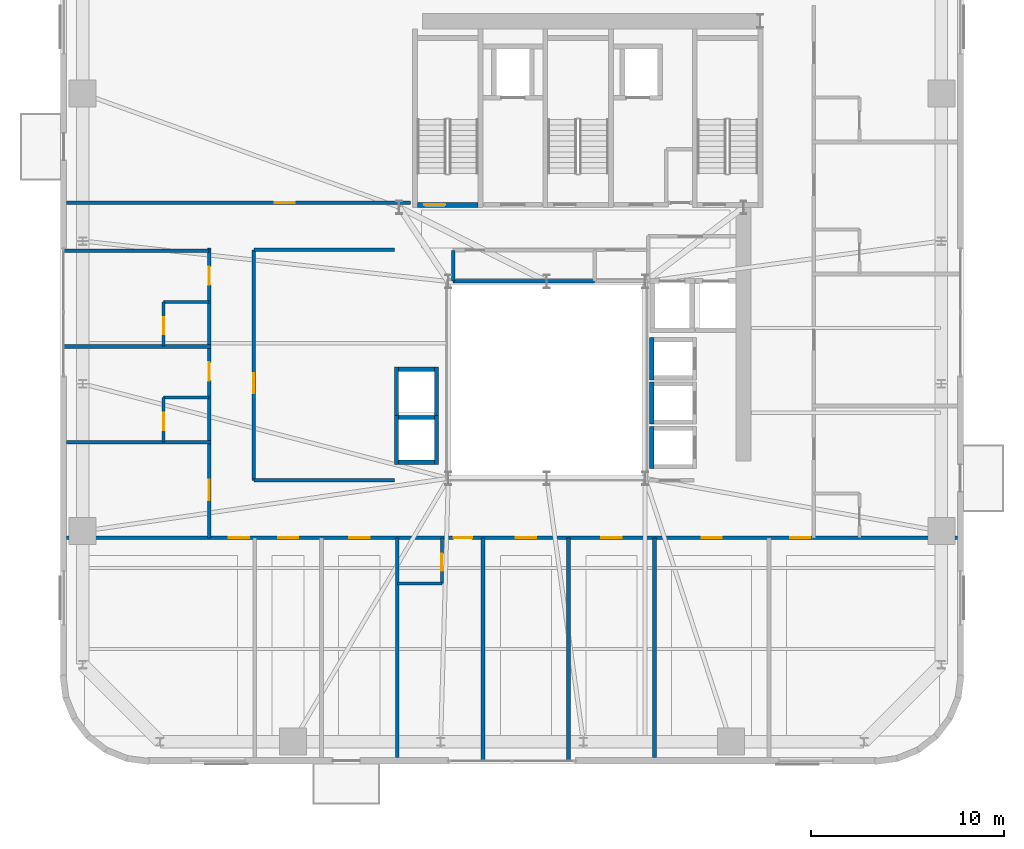
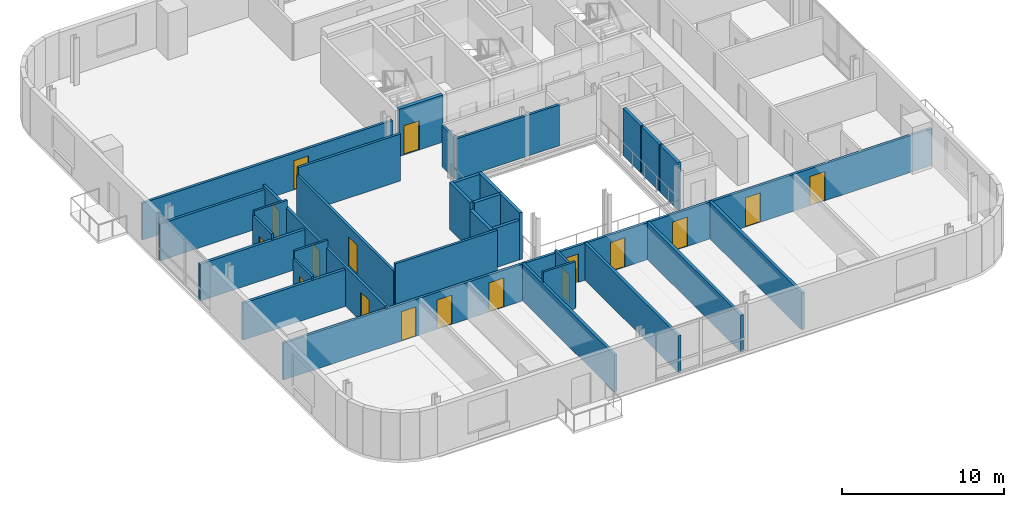
# One storey, part 8 of 16: 32 walls, 17 doors, 17 openings.
"""IFC4 building model written with IfcOpenShell, lengths in metres."""

from ifc_helpers import new_model, si_unit, direction, frame, frame_2d, origin, place, context, subcontext, project, spatial, rectangle, extrude, source, transform, mapped, material, layer, layer_set, type_object, element, fill, save


model = new_model("IFC4")

# Units and contexts
model_context = context("Model", 3, precision=1e-05, world=origin(), true_north=direction((0.0, 1.0)))
body_context = subcontext(model_context, "Body", "Model", "MODEL_VIEW")
ifc_project = project(units=[si_unit("LENGTHUNIT", "METRE"), si_unit("AREAUNIT", "SQUARE_METRE"), si_unit("VOLUMEUNIT", "CUBIC_METRE"), si_unit("PLANEANGLEUNIT", "RADIAN"), si_unit("MASSUNIT", "GRAM", prefix="KILO")], contexts=[model_context])

# Site, building, storey
site_placement = place(None, origin())
site = spatial("IfcSite", under=ifc_project, at=site_placement, CompositionType="ELEMENT")
building_placement = place(site_placement, origin())
building = spatial("IfcBuilding", under=site, at=building_placement, Name="Vardaveli Station Tower", CompositionType="ELEMENT")
storey_placement = place(building_placement, frame((0.0, 0.0, 211.050048828125)))
storey = spatial("IfcBuildingStorey", under=building, at=storey_placement, Name="L54", CompositionType="ELEMENT", Elevation=211.050048828125)

# Wall, opening, door
ifc_material_1 = material(Name="Concrete C40/50", Category="concrete")
ifc_layer_1 = layer(ifc_material_1, 0.25, Name="Concrete C40/50")
ifc_layer_set_1 = layer_set([ifc_layer_1], Name="Concrete C40/50")
wall_type_1 = type_object("IfcWallType", Name="WAL-SHAFT-250", PredefinedType="SOLIDWALL", material=ifc_layer_set_1)
shared_shape_1 = source(origin(), body_context, "Body", "SweptSolid", [
    extrude(rectangle(XDim=3.14990234375, YDim=0.25, at=frame_2d((1.574951171875, 0.0))), origin(), (0.0, 0.0, 1.0), 3.550048828125),
])
wall_1_placement = place(storey_placement, frame((29.60009765625, 30.77490234375, 0.0), z_axis=(0.0, 0.0, 1.0), x_axis=(1.0, 0.0, 0.0)))
wall_1 = element("IfcWall", 1, at=wall_1_placement, inside=storey, type_object=wall_type_1, Name="W-L54-ST-1S", PredefinedType="SOLIDWALL", context=body_context, shape_type="MappedRepresentation", body=[
    mapped(shared_shape_1, transform((0.0, 0.0, 0.0), scale=1.0)),
])
shared_shape_2 = source(origin(), body_context, "Body", "SweptSolid", [
    extrude(rectangle(XDim=1.10009765625, YDim=2.199951171875, at=frame_2d((0.550048828125, 1.10009765625))), frame((0.0, 0.135009765625, 0.0), z_axis=(0.0, -1.0, 0.0), x_axis=(1.0, 0.0, 0.0)), (0.0, 0.0, 1.0), 0.27001953125),
])
opening_1_placement = place(wall_1_placement, frame((0.35009765625, 0.0, 0.0)))
opening_1 = element("IfcOpeningElement", 2, at=opening_1_placement, cuts=wall_1, Name="Opening D-04", PredefinedType="OPENING", context=body_context, shape_type="MappedRepresentation", body=[
    mapped(shared_shape_2, transform((0.0, 0.0, 0.0), scale=1.0)),
])
ifc_material_2 = material(Name="Steel smokeproof fire doorset", Category="steel")
door_type_1 = type_object("IfcDoorType", Name="DR-ST-1100x2200", OperationType="NOTDEFINED", PredefinedType="DOOR", material=ifc_material_2)
shared_shape_3 = source(origin(), body_context, "Body", "SweptSolid", [
    extrude(rectangle(XDim=1.10009765625, YDim=2.199951171875, at=frame_2d((0.550048828125, 1.10009765625))), frame((0.0, 0.02490234375, 0.0), z_axis=(0.0, -1.0, 0.0), x_axis=(1.0, 0.0, 0.0)), (0.0, 0.0, 1.0), 0.050048828125),
])
door_1_placement = place(opening_1_placement, origin())
door_1 = element("IfcDoor", 3, at=door_1_placement, inside=storey, type_object=door_type_1, Name="DST-1-L54", OperationType="SINGLE_SWING_LEFT", OverallHeight=2.199951171875, OverallWidth=1.10009765625, PredefinedType="DOOR", context=body_context, shape_type="MappedRepresentation", body=[
    mapped(shared_shape_3, transform((0.0, 0.0, 0.0), scale=1.0)),
])
fill(opening_1, door_1)

# Walls
ifc_layer_2 = layer(ifc_material_1, 0.219970703125, Name="Concrete C40/50")
ifc_layer_set_2 = layer_set([ifc_layer_2], Name="Concrete C40/50")
wall_type_2 = type_object("IfcWallType", Name="WAL-FFLOBBY-220", PredefinedType="SOLIDWALL", material=ifc_layer_set_2)
shared_shape_4 = source(origin(), body_context, "Body", "SweptSolid", [
    extrude(rectangle(XDim=2.18994140625, YDim=0.219970703125, at=frame_2d((1.094970703125, 0.0))), origin(), (0.0, 0.0, 1.0), 3.530029296875),
])
for number, where, z_axis, x_axis, name in (
    (4, (41.739990234375, 21.705078125, 0.0), (0.0, 0.0, 1.0), (0.0, 1.0, 0.0), "SHW-HL3-01-L54-W"),
    (5, (41.739990234375, 19.405029296875, 0.0), (0.0, 0.0, 1.0), (0.0, 1.0, 0.0), "SHW-HL3-02-L54-W"),
    (6, (41.739990234375, 17.10498046875, 0.0), (0.0, 0.0, 1.0), (0.0, 1.0, 0.0), "SHW-HL3-03-L54-W"),
):
    element("IfcWall", number, at=place(storey_placement, frame(where, z_axis=z_axis, x_axis=x_axis)), inside=storey, type_object=wall_type_2, Name=name, PredefinedType="SOLIDWALL", context=body_context, shape_type="MappedRepresentation", body=[
        mapped(shared_shape_4, transform((0.0, 0.0, 0.0), scale=1.0)),
    ])
shared_shape_5 = source(origin(), body_context, "Body", "SweptSolid", [
    extrude(rectangle(XDim=1.85009765625, YDim=0.219970703125, at=frame_2d((0.925048828125, 0.0))), origin(), (0.0, 0.0, 1.0), 2.971923828125),
])
wall_2_placement = place(storey_placement, frame((28.625, 17.43994140625, 0.0), z_axis=(0.0, 0.0, 1.0), x_axis=(1.0, 0.0, 0.0)))
element("IfcWall", 7, at=wall_2_placement, inside=storey, type_object=wall_type_2, Name="SHW-OBS-01-L54-S", PredefinedType="SOLIDWALL", context=body_context, shape_type="MappedRepresentation", body=[
    mapped(shared_shape_5, transform((0.0, 0.0, 0.0), scale=1.0)),
])
shared_shape_6 = source(origin(), body_context, "Body", "SweptSolid", [
    extrude(rectangle(XDim=1.85009765625, YDim=0.219970703125, at=frame_2d((0.925048828125, 0.0))), origin(), (0.0, 0.0, 1.0), 3.530029296875),
])
for number, where, z_axis, x_axis, name in (
    (8, (28.625, 19.760009765625, 0.0), (0.0, 0.0, 1.0), (1.0, 0.0, 0.0), "SHW-OBS-01-L54-N"),
    (9, (28.625, 22.260009765625, 0.0), (0.0, 0.0, 1.0), (1.0, 0.0, 0.0), "SHW-OBS-02-L54-N"),
):
    element("IfcWall", number, at=place(storey_placement, frame(where, z_axis=z_axis, x_axis=x_axis)), inside=storey, type_object=wall_type_2, Name=name, PredefinedType="SOLIDWALL", context=body_context, shape_type="MappedRepresentation", body=[
        mapped(shared_shape_6, transform((0.0, 0.0, 0.0), scale=1.0)),
    ])
shared_shape_7 = source(origin(), body_context, "Body", "SweptSolid", [
    extrude(rectangle(XDim=2.5400390625, YDim=0.219970703125, at=frame_2d((1.27001953125, 0.0))), origin(), (0.0, 0.0, 1.0), 2.971923828125),
])
wall_3_placement = place(storey_placement, frame((28.514892578125, 17.330078125, 0.0), z_axis=(0.0, 0.0, 1.0), x_axis=(0.0, 1.0, 0.0)))
element("IfcWall", 10, at=wall_3_placement, inside=storey, type_object=wall_type_2, Name="SHW-OBS-01-L54-W", PredefinedType="SOLIDWALL", context=body_context, shape_type="MappedRepresentation", body=[
    mapped(shared_shape_7, transform((0.0, 0.0, 0.0), scale=1.0)),
])
shared_shape_8 = source(origin(), body_context, "Body", "SweptSolid", [
    extrude(rectangle(XDim=2.5400390625, YDim=0.219970703125, at=frame_2d((1.27001953125, 0.0))), origin(), (0.0, 0.0, 1.0), 3.530029296875),
])
for number, where, z_axis, x_axis, name in (
    (11, (30.5849609375, 17.330078125, 0.0), (0.0, 0.0, 1.0), (0.0, 1.0, 0.0), "SHW-OBS-01-L54-E"),
    (12, (28.514892578125, 19.830078125, 0.0), (0.0, 0.0, 1.0), (0.0, 1.0, 0.0), "SHW-OBS-02-L54-W"),
    (13, (30.5849609375, 19.830078125, 0.0), (0.0, 0.0, 1.0), (0.0, 1.0, 0.0), "SHW-OBS-02-L54-E"),
):
    element("IfcWall", number, at=place(storey_placement, frame(where, z_axis=z_axis, x_axis=x_axis)), inside=storey, type_object=wall_type_2, Name=name, PredefinedType="SOLIDWALL", context=body_context, shape_type="MappedRepresentation", body=[
        mapped(shared_shape_8, transform((0.0, 0.0, 0.0), scale=1.0)),
    ])

# Wall, openings, doors
ifc_material_3 = material(Name="Fire-rated gypsum stud partition")
ifc_layer_3 = layer(ifc_material_3, 0.179931640625, Name="Fire-rated gypsum stud partition")
ifc_layer_set_3 = layer_set([ifc_layer_3], Name="Fire-rated gypsum stud partition")
wall_type_3 = type_object("IfcWallType", Name="WAL-CORR-180", PredefinedType="PARTITIONING", material=ifc_layer_set_3)
shared_shape_9 = source(origin(), body_context, "Body", "SweptSolid", [
    extrude(rectangle(XDim=46.15576171875, YDim=0.179931640625, at=frame_2d((23.077880859375, 0.0))), origin(), (0.0, 0.0, 1.0), 2.77197265625),
])
wall_4_placement = place(storey_placement, frame((11.422119140625, 13.510009765625, 0.0), z_axis=(0.0, 0.0, 1.0), x_axis=(1.0, 0.0, 0.0)))
wall_4 = element("IfcWall", 14, at=wall_4_placement, inside=storey, type_object=wall_type_3, Name="W-L54-CS", PredefinedType="PARTITIONING", context=body_context, shape_type="MappedRepresentation", body=[
    mapped(shared_shape_9, transform((0.0, 0.0, 0.0), scale=1.0)),
])
shared_shape_10 = source(origin(), body_context, "Body", "SweptSolid", [
    extrude(rectangle(XDim=1.050048828125, YDim=2.199951171875, at=frame_2d((0.52490234375, 1.10009765625))), frame((0.0, 0.10009765625, 0.0), z_axis=(0.0, -1.0, 0.0), x_axis=(1.0, 0.0, 0.0)), (0.0, 0.0, 1.0), 0.199951171875),
])
opening_2_placement = place(wall_4_placement, frame((8.39794921875, 0.0, 0.0)))
opening_2 = element("IfcOpeningElement", 15, at=opening_2_placement, cuts=wall_4, Name="Opening D-05", PredefinedType="OPENING", context=body_context, shape_type="MappedRepresentation", body=[
    mapped(shared_shape_10, transform((0.0, 0.0, 0.0), scale=1.0)),
])
opening_3_placement = place(wall_4_placement, frame((10.952880859375, 0.0, 0.0)))
opening_3 = element("IfcOpeningElement", 16, at=opening_3_placement, cuts=wall_4, Name="Opening D-05", PredefinedType="OPENING", context=body_context, shape_type="MappedRepresentation", body=[
    mapped(shared_shape_10, transform((0.0, 0.0, 0.0), scale=1.0)),
])
opening_4_placement = place(wall_4_placement, frame((14.64453125, 0.0, 0.0)))
opening_4 = element("IfcOpeningElement", 17, at=opening_4_placement, cuts=wall_4, Name="Opening D-05", PredefinedType="OPENING", context=body_context, shape_type="MappedRepresentation", body=[
    mapped(shared_shape_10, transform((0.0, 0.0, 0.0), scale=1.0)),
])
shared_shape_11 = source(origin(), body_context, "Body", "SweptSolid", [
    extrude(rectangle(XDim=0.949951171875, YDim=2.14990234375, at=frame_2d((0.47509765625, 1.074951171875))), frame((0.0, 0.10009765625, 0.0), z_axis=(0.0, -1.0, 0.0), x_axis=(1.0, 0.0, 0.0)), (0.0, 0.0, 1.0), 0.199951171875),
])
opening_5_placement = place(wall_4_placement, frame((20.05712890625, 0.0, 0.0)))
opening_5 = element("IfcOpeningElement", 18, at=opening_5_placement, cuts=wall_4, Name="Opening D-06", PredefinedType="OPENING", context=body_context, shape_type="MappedRepresentation", body=[
    mapped(shared_shape_11, transform((0.0, 0.0, 0.0), scale=1.0)),
])
opening_6_placement = place(wall_4_placement, frame((23.273681640625, 0.0, 0.0)))
opening_6 = element("IfcOpeningElement", 19, at=opening_6_placement, cuts=wall_4, Name="Opening D-05", PredefinedType="OPENING", context=body_context, shape_type="MappedRepresentation", body=[
    mapped(shared_shape_10, transform((0.0, 0.0, 0.0), scale=1.0)),
])
opening_7_placement = place(wall_4_placement, frame((27.715576171875, 0.0, 0.0)))
opening_7 = element("IfcOpeningElement", 20, at=opening_7_placement, cuts=wall_4, Name="Opening D-05", PredefinedType="OPENING", context=body_context, shape_type="MappedRepresentation", body=[
    mapped(shared_shape_10, transform((0.0, 0.0, 0.0), scale=1.0)),
])
opening_8_placement = place(wall_4_placement, frame((32.906982421875, 0.0, 0.0)))
opening_8 = element("IfcOpeningElement", 21, at=opening_8_placement, cuts=wall_4, Name="Opening D-05", PredefinedType="OPENING", context=body_context, shape_type="MappedRepresentation", body=[
    mapped(shared_shape_10, transform((0.0, 0.0, 0.0), scale=1.0)),
])
opening_9_placement = place(wall_4_placement, frame((37.498046875, 0.0, 0.0)))
opening_9 = element("IfcOpeningElement", 22, at=opening_9_placement, cuts=wall_4, Name="Opening D-05", PredefinedType="OPENING", context=body_context, shape_type="MappedRepresentation", body=[
    mapped(shared_shape_10, transform((0.0, 0.0, 0.0), scale=1.0)),
])
ifc_material_4 = material(Name="Walnut veneer acoustic fire door")
door_type_2 = type_object("IfcDoorType", Name="DR-SUITE-1050x2200", OperationType="NOTDEFINED", PredefinedType="DOOR", material=ifc_material_4)
shared_shape_12 = source(origin(), body_context, "Body", "SweptSolid", [
    extrude(rectangle(XDim=1.050048828125, YDim=2.199951171875, at=frame_2d((0.52490234375, 1.10009765625))), frame((0.0, 0.02490234375, 0.0), z_axis=(0.0, -1.0, 0.0), x_axis=(1.0, 0.0, 0.0)), (0.0, 0.0, 1.0), 0.050048828125),
])
door_2_placement = place(opening_2_placement, origin())
door_2 = element("IfcDoor", 23, at=door_2_placement, inside=storey, type_object=door_type_2, Name="D-L54-SA1", OperationType="SINGLE_SWING_LEFT", OverallHeight=2.199951171875, OverallWidth=1.050048828125, PredefinedType="DOOR", context=body_context, shape_type="MappedRepresentation", body=[
    mapped(shared_shape_12, transform((0.0, 0.0, 0.0), scale=1.0)),
])
fill(opening_2, door_2)
door_3_placement = place(opening_3_placement, origin())
door_3 = element("IfcDoor", 24, at=door_3_placement, inside=storey, type_object=door_type_2, Name="D-L54-SA2", OperationType="SINGLE_SWING_RIGHT", OverallHeight=2.199951171875, OverallWidth=1.050048828125, PredefinedType="DOOR", context=body_context, shape_type="MappedRepresentation", body=[
    mapped(shared_shape_12, transform((0.0, 0.0, 0.0), scale=1.0)),
])
fill(opening_3, door_3)
door_4_placement = place(opening_4_placement, origin())
door_4 = element("IfcDoor", 25, at=door_4_placement, inside=storey, type_object=door_type_2, Name="D-L54-SA3", OperationType="SINGLE_SWING_LEFT", OverallHeight=2.199951171875, OverallWidth=1.050048828125, PredefinedType="DOOR", context=body_context, shape_type="MappedRepresentation", body=[
    mapped(shared_shape_12, transform((0.0, 0.0, 0.0), scale=1.0)),
])
fill(opening_4, door_4)
door_5_placement = place(opening_6_placement, origin())
door_5 = element("IfcDoor", 26, at=door_5_placement, inside=storey, type_object=door_type_2, Name="D-L54-SA5", OperationType="SINGLE_SWING_LEFT", OverallHeight=2.199951171875, OverallWidth=1.050048828125, PredefinedType="DOOR", context=body_context, shape_type="MappedRepresentation", body=[
    mapped(shared_shape_12, transform((0.0, 0.0, 0.0), scale=1.0)),
])
fill(opening_6, door_5)
door_6_placement = place(opening_7_placement, origin())
door_6 = element("IfcDoor", 27, at=door_6_placement, inside=storey, type_object=door_type_2, Name="D-L54-SA6", OperationType="SINGLE_SWING_RIGHT", OverallHeight=2.199951171875, OverallWidth=1.050048828125, PredefinedType="DOOR", context=body_context, shape_type="MappedRepresentation", body=[
    mapped(shared_shape_12, transform((0.0, 0.0, 0.0), scale=1.0)),
])
fill(opening_7, door_6)
door_7_placement = place(opening_8_placement, origin())
door_7 = element("IfcDoor", 28, at=door_7_placement, inside=storey, type_object=door_type_2, Name="D-L54-SA7", OperationType="SINGLE_SWING_LEFT", OverallHeight=2.199951171875, OverallWidth=1.050048828125, PredefinedType="DOOR", context=body_context, shape_type="MappedRepresentation", body=[
    mapped(shared_shape_12, transform((0.0, 0.0, 0.0), scale=1.0)),
])
fill(opening_8, door_7)
door_8_placement = place(opening_9_placement, origin())
door_8 = element("IfcDoor", 29, at=door_8_placement, inside=storey, type_object=door_type_2, Name="D-L54-SA8", OperationType="SINGLE_SWING_RIGHT", OverallHeight=2.199951171875, OverallWidth=1.050048828125, PredefinedType="DOOR", context=body_context, shape_type="MappedRepresentation", body=[
    mapped(shared_shape_12, transform((0.0, 0.0, 0.0), scale=1.0)),
])
fill(opening_9, door_8)
ifc_material_5 = material(Name="Oak veneer acoustic fire door")
door_type_3 = type_object("IfcDoorType", Name="DR-GUEST-950x2150", OperationType="NOTDEFINED", PredefinedType="DOOR", material=ifc_material_5)
shared_shape_13 = source(origin(), body_context, "Body", "SweptSolid", [
    extrude(rectangle(XDim=0.949951171875, YDim=2.14990234375, at=frame_2d((0.47509765625, 1.074951171875))), frame((0.0, 0.02490234375, 0.0), z_axis=(0.0, -1.0, 0.0), x_axis=(1.0, 0.0, 0.0)), (0.0, 0.0, 1.0), 0.050048828125),
])
door_9_placement = place(opening_5_placement, origin())
door_9 = element("IfcDoor", 30, at=door_9_placement, inside=storey, type_object=door_type_3, Name="D-L54-GS4", OperationType="SINGLE_SWING_RIGHT", OverallHeight=2.14990234375, OverallWidth=0.949951171875, PredefinedType="DOOR", context=body_context, shape_type="MappedRepresentation", body=[
    mapped(shared_shape_13, transform((0.0, 0.0, 0.0), scale=1.0)),
])
fill(opening_5, door_9)

# Wall, opening, door
shared_shape_14 = source(origin(), body_context, "Body", "SweptSolid", [
    extrude(rectangle(XDim=17.827880859375, YDim=0.179931640625, at=frame_2d((8.9140625, 0.0))), origin(), (0.0, 0.0, 1.0), 2.77197265625),
])
wall_5_placement = place(storey_placement, frame((11.422119140625, 30.8798828125, 0.0), z_axis=(0.0, 0.0, 1.0), x_axis=(1.0, 0.0, 0.0)))
wall_5 = element("IfcWall", 31, at=wall_5_placement, inside=storey, type_object=wall_type_3, Name="W-L54-CNWS", PredefinedType="PARTITIONING", context=body_context, shape_type="MappedRepresentation", body=[
    mapped(shared_shape_14, transform((0.0, 0.0, 0.0), scale=1.0)),
])
opening_10_placement = place(wall_5_placement, frame((10.778076171875, 0.0, 0.0)))
opening_10 = element("IfcOpeningElement", 32, at=opening_10_placement, cuts=wall_5, Name="Opening D-05", PredefinedType="OPENING", context=body_context, shape_type="MappedRepresentation", body=[
    mapped(shared_shape_10, transform((0.0, 0.0, 0.0), scale=1.0)),
])
door_10_placement = place(opening_10_placement, origin())
door_10 = element("IfcDoor", 33, at=door_10_placement, inside=storey, type_object=door_type_2, Name="D-L54-GNW1", OperationType="SINGLE_SWING_RIGHT", OverallHeight=2.199951171875, OverallWidth=1.050048828125, PredefinedType="DOOR", context=body_context, shape_type="MappedRepresentation", body=[
    mapped(shared_shape_12, transform((0.0, 0.0, 0.0), scale=1.0)),
])
fill(opening_10, door_10)

# Wall, openings, doors
shared_shape_15 = source(origin(), body_context, "Body", "SweptSolid", [
    extrude(rectangle(XDim=15.0400390625, YDim=0.179931640625, at=frame_2d((7.52001953125, 0.0))), origin(), (0.0, 0.0, 1.0), 2.971923828125),
])
wall_6_placement = place(storey_placement, frame((18.800048828125, 13.510009765625, 0.0), z_axis=(0.0, 0.0, 1.0), x_axis=(0.0, 1.0, 0.0)))
wall_6 = element("IfcWall", 34, at=wall_6_placement, inside=storey, type_object=wall_type_3, Name="W-L54-CW", PredefinedType="PARTITIONING", context=body_context, shape_type="MappedRepresentation", body=[
    mapped(shared_shape_15, transform((0.0, 0.0, 0.0), scale=1.0)),
])
opening_11_placement = place(wall_6_placement, frame((1.961669921875, 0.0, 0.0)))
opening_11 = element("IfcOpeningElement", 35, at=opening_11_placement, cuts=wall_6, Name="Opening D-05", PredefinedType="OPENING", context=body_context, shape_type="MappedRepresentation", body=[
    mapped(shared_shape_10, transform((0.0, 0.0, 0.0), scale=1.0)),
])
opening_12_placement = place(wall_6_placement, frame((8.14990234375, 0.0, 0.0)))
opening_12 = element("IfcOpeningElement", 36, at=opening_12_placement, cuts=wall_6, Name="Opening D-06", PredefinedType="OPENING", context=body_context, shape_type="MappedRepresentation", body=[
    mapped(shared_shape_11, transform((0.0, 0.0, 0.0), scale=1.0)),
])
opening_13_placement = place(wall_6_placement, frame((13.11328125, 0.0, 0.0)))
opening_13 = element("IfcOpeningElement", 37, at=opening_13_placement, cuts=wall_6, Name="Opening D-06", PredefinedType="OPENING", context=body_context, shape_type="MappedRepresentation", body=[
    mapped(shared_shape_11, transform((0.0, 0.0, 0.0), scale=1.0)),
])
door_11_placement = place(opening_11_placement, origin())
door_11 = element("IfcDoor", 38, at=door_11_placement, inside=storey, type_object=door_type_2, Name="D-L54-GW1", OperationType="SINGLE_SWING_LEFT", OverallHeight=2.199951171875, OverallWidth=1.050048828125, PredefinedType="DOOR", context=body_context, shape_type="MappedRepresentation", body=[
    mapped(shared_shape_12, transform((0.0, 0.0, 0.0), scale=1.0)),
])
fill(opening_11, door_11)
door_12_placement = place(opening_12_placement, origin())
door_12 = element("IfcDoor", 39, at=door_12_placement, inside=storey, type_object=door_type_3, Name="D-L54-GW2", OperationType="SINGLE_SWING_RIGHT", OverallHeight=2.14990234375, OverallWidth=0.949951171875, PredefinedType="DOOR", context=body_context, shape_type="MappedRepresentation", body=[
    mapped(shared_shape_13, transform((0.0, 0.0, 0.0), scale=1.0)),
])
fill(opening_12, door_12)
door_13_placement = place(opening_13_placement, origin())
door_13 = element("IfcDoor", 40, at=door_13_placement, inside=storey, type_object=door_type_3, Name="D-L54-GW3", OperationType="SINGLE_SWING_LEFT", OverallHeight=2.14990234375, OverallWidth=0.949951171875, PredefinedType="DOOR", context=body_context, shape_type="MappedRepresentation", body=[
    mapped(shared_shape_13, transform((0.0, 0.0, 0.0), scale=1.0)),
])
fill(opening_13, door_13)

# Wall, opening, door
ifc_material_6 = material(Name="Moisture-resistant stud partition")
ifc_layer_4 = layer(ifc_material_6, 0.14990234375, Name="Moisture-resistant stud partition")
ifc_layer_set_4 = layer_set([ifc_layer_4], Name="Moisture-resistant stud partition")
wall_type_4 = type_object("IfcWallType", Name="WAL-WET-150", PredefinedType="PARTITIONING", material=ifc_layer_set_4)
shared_shape_16 = source(origin(), body_context, "Body", "SweptSolid", [
    extrude(rectangle(XDim=2.2900390625, YDim=0.14990234375, at=frame_2d((1.14501953125, 0.0))), origin(), (0.0, 0.0, 1.0), 2.971923828125),
])
wall_7_placement = place(storey_placement, frame((16.43994140625, 18.492919921875, 0.0), z_axis=(0.0, 0.0, 1.0), x_axis=(0.0, 1.0, 0.0)))
wall_7 = element("IfcWall", 41, at=wall_7_placement, inside=storey, type_object=wall_type_4, Name="W-L54-BW2-W", PredefinedType="PARTITIONING", context=body_context, shape_type="MappedRepresentation", body=[
    mapped(shared_shape_16, transform((0.0, 0.0, 0.0), scale=1.0)),
])
shared_shape_17 = source(origin(), body_context, "Body", "SweptSolid", [
    extrude(rectangle(XDim=0.89990234375, YDim=2.10009765625, at=frame_2d((0.449951171875, 1.050048828125))), frame((0.0, 0.0849609375, 0.0), z_axis=(0.0, -1.0, 0.0), x_axis=(1.0, 0.0, 0.0)), (0.0, 0.0, 1.0), 0.169921875),
])
opening_14_placement = place(wall_7_placement, frame((0.60009765625, 0.0, 0.0)))
opening_14 = element("IfcOpeningElement", 42, at=opening_14_placement, cuts=wall_7, Name="Opening D-08", PredefinedType="OPENING", context=body_context, shape_type="MappedRepresentation", body=[
    mapped(shared_shape_17, transform((0.0, 0.0, 0.0), scale=1.0)),
])
ifc_material_7 = material(Name="Moisture-resistant oak door")
door_type_4 = type_object("IfcDoorType", Name="DR-BATH-900x2100", OperationType="NOTDEFINED", PredefinedType="DOOR", material=ifc_material_7)
shared_shape_18 = source(origin(), body_context, "Body", "SweptSolid", [
    extrude(rectangle(XDim=0.89990234375, YDim=2.10009765625, at=frame_2d((0.449951171875, 1.050048828125))), frame((0.0, 0.02490234375, 0.0), z_axis=(0.0, -1.0, 0.0), x_axis=(1.0, 0.0, 0.0)), (0.0, 0.0, 1.0), 0.050048828125),
])
door_14_placement = place(opening_14_placement, origin())
door_14 = element("IfcDoor", 43, at=door_14_placement, inside=storey, type_object=door_type_4, Name="D-L54-BW2", OperationType="SINGLE_SWING_RIGHT", OverallHeight=2.10009765625, OverallWidth=0.89990234375, PredefinedType="DOOR", context=body_context, shape_type="MappedRepresentation", body=[
    mapped(shared_shape_18, transform((0.0, 0.0, 0.0), scale=1.0)),
])
fill(opening_14, door_14)

# Walls
ifc_material_8 = material(Name="Acoustic twin-stud gypsum partition")
ifc_layer_5 = layer(ifc_material_8, 0.199951171875, Name="Acoustic twin-stud gypsum partition")
ifc_layer_set_5 = layer_set([ifc_layer_5], Name="Acoustic twin-stud gypsum partition")
wall_type_5 = type_object("IfcWallType", Name="WAL-PARTY-200", PredefinedType="PARTITIONING", material=ifc_layer_set_5)
shared_shape_19 = source(origin(), body_context, "Body", "SweptSolid", [
    extrude(rectangle(XDim=11.387939453125, YDim=0.199951171875, at=frame_2d((5.69384765625, 0.0))), origin(), (0.0, 0.0, 1.0), 2.77197265625),
])
for number, where, z_axis, x_axis, name in (
    (44, (28.552978515625, 2.1220703125, 0.0), (0.0, 0.0, 1.0), (0.0, 1.0, 0.0), "W-L54-PS3"),
    (45, (41.8779296875, 2.1220703125, 0.0), (0.0, 0.0, 1.0), (0.0, 1.0, 0.0), "W-L54-PS6"),
):
    element("IfcWall", number, at=place(storey_placement, frame(where, z_axis=z_axis, x_axis=x_axis)), inside=storey, type_object=wall_type_5, Name=name, PredefinedType="PARTITIONING", context=body_context, shape_type="MappedRepresentation", body=[
        mapped(shared_shape_19, transform((0.0, 0.0, 0.0), scale=1.0)),
    ])
shared_shape_20 = source(origin(), body_context, "Body", "SweptSolid", [
    extrude(rectangle(XDim=11.580078125, YDim=0.199951171875, at=frame_2d((5.7900390625, 0.0))), origin(), (0.0, 0.0, 1.0), 2.77197265625),
])
for number, where, z_axis, x_axis, name in (
    (46, (32.9951171875, 1.929931640625, 0.0), (0.0, 0.0, 1.0), (0.0, 1.0, 0.0), "W-L54-PS4"),
    (47, (37.43701171875, 1.929931640625, 0.0), (0.0, 0.0, 1.0), (0.0, 1.0, 0.0), "W-L54-PS5"),
):
    element("IfcWall", number, at=place(storey_placement, frame(where, z_axis=z_axis, x_axis=x_axis)), inside=storey, type_object=wall_type_5, Name=name, PredefinedType="PARTITIONING", context=body_context, shape_type="MappedRepresentation", body=[
        mapped(shared_shape_20, transform((0.0, 0.0, 0.0), scale=1.0)),
    ])
shared_shape_21 = source(origin(), body_context, "Body", "SweptSolid", [
    extrude(rectangle(XDim=2.360107421875, YDim=0.14990234375, at=frame_2d((1.18017578125, 0.0))), origin(), (0.0, 0.0, 1.0), 3.530029296875),
])
for number, where, z_axis, x_axis, name in (
    (48, (16.43994140625, 20.782958984375, 0.0), (0.0, 0.0, 1.0), (1.0, 0.0, 0.0), "W-L54-BW2-N"),
    (49, (16.43994140625, 25.7470703125, 0.0), (0.0, 0.0, 1.0), (1.0, 0.0, 0.0), "W-L54-BW3-N"),
):
    element("IfcWall", number, at=place(storey_placement, frame(where, z_axis=z_axis, x_axis=x_axis)), inside=storey, type_object=wall_type_4, Name=name, PredefinedType="PARTITIONING", context=body_context, shape_type="MappedRepresentation", body=[
        mapped(shared_shape_21, transform((0.0, 0.0, 0.0), scale=1.0)),
    ])
shared_shape_22 = source(origin(), body_context, "Body", "SweptSolid", [
    extrude(rectangle(XDim=1.599853515625, YDim=0.179931640625, at=frame_2d((0.7998046875, 0.0))), origin(), (0.0, 0.0, 1.0), 3.072021484375),
])
wall_8_placement = place(storey_placement, frame((31.449951171875, 26.820068359375, 0.0), z_axis=(0.0, 0.0, 1.0), x_axis=(0.0, 1.0, 0.0)))
element("IfcWall", 50, at=wall_8_placement, inside=storey, type_object=wall_type_3, Name="W-L54-HKP0-W", PredefinedType="PARTITIONING", context=body_context, shape_type="MappedRepresentation", body=[
    mapped(shared_shape_22, transform((0.0, 0.0, 0.0), scale=1.0)),
])

# Wall, opening, door
shared_shape_23 = source(origin(), body_context, "Body", "SweptSolid", [
    extrude(rectangle(XDim=11.93994140625, YDim=0.179931640625, at=frame_2d((5.969970703125, 0.0))), origin(), (0.0, 0.0, 1.0), 2.971923828125),
])
wall_9_placement = place(storey_placement, frame((21.1201171875, 16.5, 0.0), z_axis=(0.0, 0.0, 1.0), x_axis=(0.0, 1.0, 0.0)))
wall_9 = element("IfcWall", 51, at=wall_9_placement, inside=storey, type_object=wall_type_3, Name="W-L54-ATW-W", PredefinedType="PARTITIONING", context=body_context, shape_type="MappedRepresentation", body=[
    mapped(shared_shape_23, transform((0.0, 0.0, 0.0), scale=1.0)),
])
opening_15_placement = place(wall_9_placement, frame((4.5, 0.0, 0.0)))
opening_15 = element("IfcOpeningElement", 52, at=opening_15_placement, cuts=wall_9, Name="Opening D-05", PredefinedType="OPENING", context=body_context, shape_type="MappedRepresentation", body=[
    mapped(shared_shape_10, transform((0.0, 0.0, 0.0), scale=1.0)),
])
door_15_placement = place(opening_15_placement, origin())
door_15 = element("IfcDoor", 53, at=door_15_placement, inside=storey, type_object=door_type_2, Name="D-L54-ATW1", OperationType="SINGLE_SWING_RIGHT", OverallHeight=2.199951171875, OverallWidth=1.050048828125, PredefinedType="DOOR", context=body_context, shape_type="MappedRepresentation", body=[
    mapped(shared_shape_12, transform((0.0, 0.0, 0.0), scale=1.0)),
])
fill(opening_15, door_15)

# Walls
shared_shape_24 = source(origin(), body_context, "Body", "SweptSolid", [
    extrude(rectangle(XDim=7.330078125, YDim=0.179931640625, at=frame_2d((3.6650390625, 0.0))), origin(), (0.0, 0.0, 1.0), 3.072021484375),
])
wall_10_placement = place(storey_placement, frame((31.449951171875, 26.820068359375, 0.0), z_axis=(0.0, 0.0, 1.0), x_axis=(1.0, 0.0, 0.0)))
element("IfcWall", 54, at=wall_10_placement, inside=storey, type_object=wall_type_3, Name="W-L54-HKP0-S", PredefinedType="PARTITIONING", context=body_context, shape_type="MappedRepresentation", body=[
    mapped(shared_shape_24, transform((0.0, 0.0, 0.0), scale=1.0)),
])
shared_shape_25 = source(origin(), body_context, "Body", "SweptSolid", [
    extrude(rectangle(XDim=2.2900390625, YDim=0.14990234375, at=frame_2d((1.14501953125, 0.0))), origin(), (0.0, 0.0, 1.0), 3.530029296875),
])
wall_11_placement = place(storey_placement, frame((28.572998046875, 11.14990234375, 0.0), z_axis=(0.0, 0.0, 1.0), x_axis=(1.0, 0.0, 0.0)))
element("IfcWall", 55, at=wall_11_placement, inside=storey, type_object=wall_type_4, Name="W-L54-BS4-S", PredefinedType="PARTITIONING", context=body_context, shape_type="MappedRepresentation", body=[
    mapped(shared_shape_25, transform((0.0, 0.0, 0.0), scale=1.0)),
])

# Wall, opening, door
shared_shape_26 = source(origin(), body_context, "Body", "SweptSolid", [
    extrude(rectangle(XDim=2.2900390625, YDim=0.14990234375, at=frame_2d((1.14501953125, 0.0))), origin(), (0.0, 0.0, 1.0), 3.19189453125),
])
wall_12_placement = place(storey_placement, frame((16.43994140625, 23.45703125, 0.0), z_axis=(0.0, 0.0, 1.0), x_axis=(0.0, 1.0, 0.0)))
wall_12 = element("IfcWall", 56, at=wall_12_placement, inside=storey, type_object=wall_type_4, Name="W-L54-BW3-W", PredefinedType="PARTITIONING", context=body_context, shape_type="MappedRepresentation", body=[
    mapped(shared_shape_26, transform((0.0, 0.0, 0.0), scale=1.0)),
])
opening_16_placement = place(wall_12_placement, frame((0.60009765625, 0.0, 0.0)))
opening_16 = element("IfcOpeningElement", 57, at=opening_16_placement, cuts=wall_12, Name="Opening D-08", PredefinedType="OPENING", context=body_context, shape_type="MappedRepresentation", body=[
    mapped(shared_shape_17, transform((0.0, 0.0, 0.0), scale=1.0)),
])
door_16_placement = place(opening_16_placement, origin())
door_16 = element("IfcDoor", 58, at=door_16_placement, inside=storey, type_object=door_type_4, Name="D-L54-BW3", OperationType="SINGLE_SWING_LEFT", OverallHeight=2.10009765625, OverallWidth=0.89990234375, PredefinedType="DOOR", context=body_context, shape_type="MappedRepresentation", body=[
    mapped(shared_shape_18, transform((0.0, 0.0, 0.0), scale=1.0)),
])
fill(opening_16, door_16)

shared_shape_27 = source(origin(), body_context, "Body", "SweptSolid", [
    extrude(rectangle(XDim=2.360107421875, YDim=0.14990234375, at=frame_2d((1.18017578125, 0.0))), origin(), (0.0, 0.0, 1.0), 2.971923828125),
])
wall_13_placement = place(storey_placement, frame((30.863037109375, 11.14990234375, 0.0), z_axis=(0.0, 0.0, 1.0), x_axis=(0.0, 1.0, 0.0)))
wall_13 = element("IfcWall", 59, at=wall_13_placement, inside=storey, type_object=wall_type_4, Name="W-L54-BS4-E", PredefinedType="PARTITIONING", context=body_context, shape_type="MappedRepresentation", body=[
    mapped(shared_shape_27, transform((0.0, 0.0, 0.0), scale=1.0)),
])
opening_17_placement = place(wall_13_placement, frame((0.64990234375, 0.0, 0.0)))
opening_17 = element("IfcOpeningElement", 60, at=opening_17_placement, cuts=wall_13, Name="Opening D-08", PredefinedType="OPENING", context=body_context, shape_type="MappedRepresentation", body=[
    mapped(shared_shape_17, transform((0.0, 0.0, 0.0), scale=1.0)),
])
door_17_placement = place(opening_17_placement, origin())
door_17 = element("IfcDoor", 61, at=door_17_placement, inside=storey, type_object=door_type_4, Name="D-L54-BS4", OperationType="SINGLE_SWING_RIGHT", OverallHeight=2.10009765625, OverallWidth=0.89990234375, PredefinedType="DOOR", context=body_context, shape_type="MappedRepresentation", body=[
    mapped(shared_shape_18, transform((0.0, 0.0, 0.0), scale=1.0)),
])
fill(opening_17, door_17)

# Walls
shared_shape_28 = source(origin(), body_context, "Body", "SweptSolid", [
    extrude(rectangle(XDim=7.477783203125, YDim=0.199951171875, at=frame_2d((3.73876953125, 0.0))), origin(), (0.0, 0.0, 1.0), 2.77197265625),
])
wall_14_placement = place(storey_placement, frame((11.422119140625, 18.472900390625, 0.0), z_axis=(0.0, 0.0, 1.0), x_axis=(1.0, 0.0, 0.0)))
element("IfcWall", 62, at=wall_14_placement, inside=storey, type_object=wall_type_5, Name="W-L54-PW1", PredefinedType="PARTITIONING", context=body_context, shape_type="MappedRepresentation", body=[
    mapped(shared_shape_28, transform((0.0, 0.0, 0.0), scale=1.0)),
])
shared_shape_29 = source(origin(), body_context, "Body", "SweptSolid", [
    extrude(rectangle(XDim=7.669921875, YDim=0.199951171875, at=frame_2d((3.8349609375, 0.0))), origin(), (0.0, 0.0, 1.0), 2.77197265625),
])
wall_15_placement = place(storey_placement, frame((11.22998046875, 23.43701171875, 0.0), z_axis=(0.0, 0.0, 1.0), x_axis=(1.0, 0.0, 0.0)))
element("IfcWall", 63, at=wall_15_placement, inside=storey, type_object=wall_type_5, Name="W-L54-PW2", PredefinedType="PARTITIONING", context=body_context, shape_type="MappedRepresentation", body=[
    mapped(shared_shape_29, transform((0.0, 0.0, 0.0), scale=1.0)),
])
shared_shape_30 = source(origin(), body_context, "Body", "SweptSolid", [
    extrude(rectangle(XDim=7.570068359375, YDim=0.179931640625, at=frame_2d((3.78515625, 0.0))), origin(), (0.0, 0.0, 1.0), 2.77197265625),
])
wall_16_placement = place(storey_placement, frame((11.22998046875, 28.39990234375, 0.0), z_axis=(0.0, 0.0, 1.0), x_axis=(1.0, 0.0, 0.0)))
element("IfcWall", 64, at=wall_16_placement, inside=storey, type_object=wall_type_3, Name="W-L54-CWN", PredefinedType="PARTITIONING", context=body_context, shape_type="MappedRepresentation", body=[
    mapped(shared_shape_30, transform((0.0, 0.0, 0.0), scale=1.0)),
])
shared_shape_31 = source(origin(), body_context, "Body", "SweptSolid", [
    extrude(rectangle(XDim=7.27978515625, YDim=0.179931640625, at=frame_2d((3.639892578125, 0.0))), origin(), (0.0, 0.0, 1.0), 3.530029296875),
])
for number, where, z_axis, x_axis, name in (
    (65, (21.1201171875, 16.5, 0.0), (0.0, 0.0, 1.0), (1.0, 0.0, 0.0), "W-L54-ATW-S"),
    (66, (21.1201171875, 28.43994140625, 0.0), (0.0, 0.0, 1.0), (1.0, 0.0, 0.0), "W-L54-ATW-N"),
):
    element("IfcWall", number, at=place(storey_placement, frame(where, z_axis=z_axis, x_axis=x_axis)), inside=storey, type_object=wall_type_3, Name=name, PredefinedType="PARTITIONING", context=body_context, shape_type="MappedRepresentation", body=[
        mapped(shared_shape_31, transform((0.0, 0.0, 0.0), scale=1.0)),
    ])

save(model, "model.ifc")
